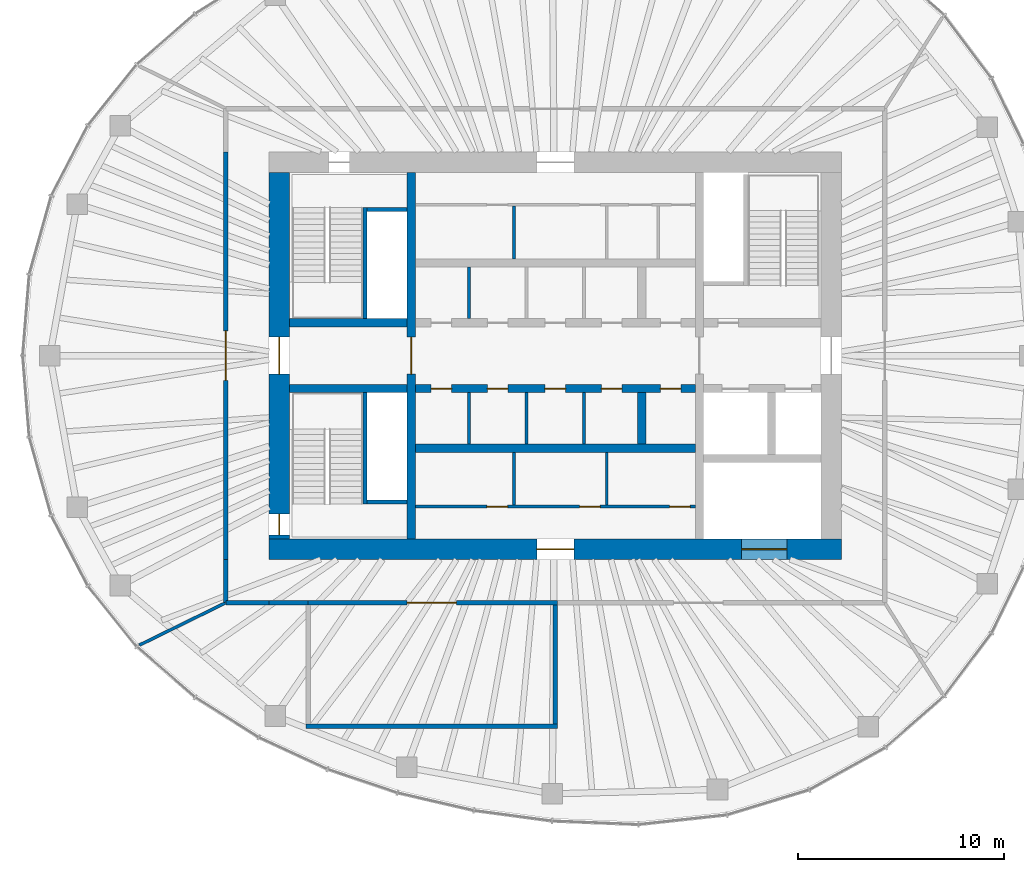
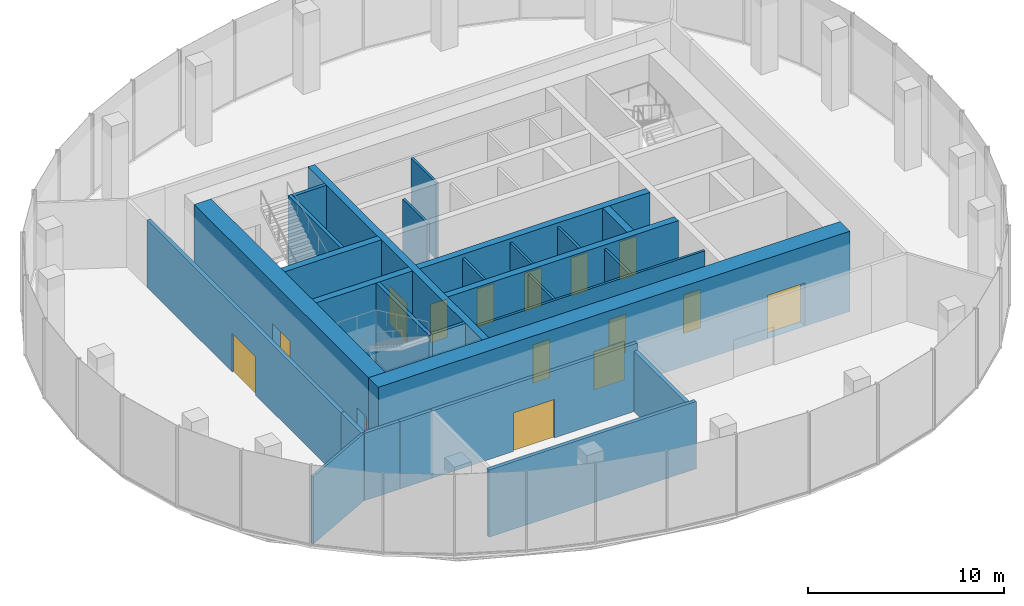
# One storey, part 8 of 11: 28 walls, 15 doors, 15 openings.
"""IFC4 building model written with IfcOpenShell, lengths in metres."""

import ifcopenshell
import ifcopenshell.guid

model = None  # the IFC model being written
_history = None  # IfcOwnerHistory: only IFC2X3 demands one
_inside = {}  # id of a spatial element -> (the spatial element, [elements in it])
_under = {}  # id of a project, library or spatial element -> (it, [spatial elements below it])
_declared = {}  # id of a project -> (the project, [libraries it declares])
_typed = {}  # id of a type object -> (the type object, [elements of that type])
_made_of = {}  # id of a material, layer set ... -> (it, [elements and type objects made of it])


def new_model(schema):
    """Start an empty IFC model of exactly this schema.

    Asked for "IFC4X3", IfcOpenShell would pick the latest addendum, in which some entities
    have other attributes; the version numbers below select the first issue.
    IFC2X3 requires an IfcOwnerHistory on every rooted entity: one is made here for all.
    """
    global model, _history
    if schema == "IFC4X3":
        model = ifcopenshell.file(schema_version=(4, 3, 0, 0))
    else:
        model = ifcopenshell.file(schema=schema)
    _inside.clear()
    _under.clear()
    _declared.clear()
    _typed.clear()
    _made_of.clear()
    _history = None
    if model.schema == "IFC2X3":
        org = make("IfcOrganization", Name="unknown")
        user = make(
            "IfcPersonAndOrganization",
            ThePerson=make("IfcPerson", FamilyName="unknown"),
            TheOrganization=org,
        )
        app = make(
            "IfcApplication",
            ApplicationDeveloper=org,
            Version="unknown",
            ApplicationFullName="unknown",
            ApplicationIdentifier="unknown",
        )
        _history = make(
            "IfcOwnerHistory",
            OwningUser=user,
            OwningApplication=app,
            ChangeAction="ADDED",
            CreationDate=0,
        )
    return model


def make(cls, **values):
    """One entity of the class cls with the attributes given. An attribute that is None is left unset."""
    return model.create_entity(
        cls, **{name: value for name, value in values.items() if value is not None}
    )


def rooted(cls, **values):
    """An entity with a GlobalId (a new one), such as an element, a storey or a relation."""
    return make(cls, GlobalId=ifcopenshell.guid.new(), OwnerHistory=_history, **values)


def si_unit(unit_type, name, prefix=None):
    """IfcSIUnit, for example si_unit("LENGTHUNIT", "METRE", prefix="MILLI")."""
    return make("IfcSIUnit", UnitType=unit_type, Prefix=prefix, Name=name)


def assignment(units):
    """IfcUnitAssignment: the units of a project."""
    return None if units is None else make("IfcUnitAssignment", Units=units)


def point(xyz):
    """IfcCartesianPoint."""
    return None if xyz is None else make("IfcCartesianPoint", Coordinates=xyz)


def direction(xyz):
    """IfcDirection."""
    return None if xyz is None else make("IfcDirection", DirectionRatios=xyz)


def frame(location, z_axis=None, x_axis=None):
    """IfcAxis2Placement3D, a coordinate frame: its origin and axes. An axis left out is left unset."""
    return make(
        "IfcAxis2Placement3D",
        Location=point(location),
        Axis=direction(z_axis),
        RefDirection=direction(x_axis),
    )


def frame_2d(location, x_axis=None):
    """IfcAxis2Placement2D, a coordinate frame in the plane: its origin and x axis."""
    return make(
        "IfcAxis2Placement2D", Location=point(location), RefDirection=direction(x_axis)
    )


def origin():
    """The frame at (0, 0, 0) with its axes left unset."""
    return frame((0.0, 0.0, 0.0))


def place(relative_to, where):
    """IfcLocalPlacement: puts the frame where relative to a parent placement (None: the world)."""
    return make(
        "IfcLocalPlacement", PlacementRelTo=relative_to, RelativePlacement=where
    )


def context(
    kind, dimensions, precision=None, world=None, true_north=None, identifier=None
):
    """IfcGeometricRepresentationContext, for example the 3D "Model" context."""
    return make(
        "IfcGeometricRepresentationContext",
        ContextIdentifier=identifier,
        ContextType=kind,
        CoordinateSpaceDimension=dimensions,
        Precision=precision,
        WorldCoordinateSystem=world,
        TrueNorth=true_north,
    )


def subcontext(parent, identifier, kind, view, scale=None):
    """IfcGeometricRepresentationSubContext, for example "Body" below "Model"."""
    return make(
        "IfcGeometricRepresentationSubContext",
        ContextIdentifier=identifier,
        ContextType=kind,
        ParentContext=parent,
        TargetScale=scale,
        TargetView=view,
    )


def project(units=None, contexts=None):
    """IfcProject with its units and contexts."""
    return rooted(
        "IfcProject",
        Name="project",
        RepresentationContexts=contexts,
        UnitsInContext=assignment(units),
    )


def spatial(cls, under=None, at=None, **own):
    """A site, building, storey or space (cls), placed at a placement, below another one or the project."""
    s = rooted(cls, ObjectPlacement=at, **own)
    if under is not None:
        _under.setdefault(under.id(), (under, []))[1].append(s)
    return s


def profile(cls, at=None, kind="AREA", **sizes):
    """A parametric profile (cls). Its sizes go by their IFC names, for example OverallWidth=200.0."""
    return make(cls, ProfileType=kind, Position=at, **sizes)


def rectangle(**sizes):
    """IfcRectangleProfileDef."""
    return profile("IfcRectangleProfileDef", **sizes)


def extrude(swept, where, along, depth):
    """IfcExtrudedAreaSolid: the profile swept, set in the frame where, extruded along a direction by depth."""
    return make(
        "IfcExtrudedAreaSolid",
        SweptArea=swept,
        Position=where,
        ExtrudedDirection=direction(along),
        Depth=depth,
    )


def shape(context_of_items, identifier, shape_type, items):
    """IfcShapeRepresentation: the items that make up one representation, for example the "Body"."""
    return make(
        "IfcShapeRepresentation",
        ContextOfItems=context_of_items,
        RepresentationIdentifier=identifier,
        RepresentationType=shape_type,
        Items=items,
    )


def material(Name=None, Category=None):
    """IfcMaterial."""
    return make("IfcMaterial", Name=Name, Category=Category)


def layer(
    of_material, thickness, ventilated=None, Name=None, Category=None, Priority=None
):
    """IfcMaterialLayer: one layer of a wall or slab, of a material (None: an air gap)."""
    return make(
        "IfcMaterialLayer",
        Material=of_material,
        LayerThickness=thickness,
        IsVentilated=ventilated,
        Name=Name,
        Category=Category,
        Priority=Priority,
    )


def layer_set(layers, Name=None):
    """IfcMaterialLayerSet."""
    return make("IfcMaterialLayerSet", MaterialLayers=layers, LayerSetName=Name)


def made_of(thing, what):
    """Note that an element or type object is made of a material, layer set ...; save() writes the relation."""
    if what is not None:
        _made_of.setdefault(what.id(), (what, []))[1].append(thing)
    return thing


def type_object(cls, material=None, **own):
    """A type object (cls), such as IfcWallType, which elements share."""
    return made_of(rooted(cls, **own), material)


def element(
    cls,
    number,
    at=None,
    inside=None,
    cuts=None,
    type_object=None,
    material=None,
    context=None,
    identifier="Body",
    shape_type=None,
    held_by="IfcProductDefinitionShape",
    body=None,
    shapes=None,
    **own,
):
    """One element of the class cls, such as IfcWall. Its Tag is "e" and its number.

    at: its placement. inside: the storey or other place that contains it. cuts: it is an
    opening in that element (IfcRelVoidsElement). A single representation is given by context,
    identifier, shape_type and body (its items); several are given by shapes. held_by: the class
    of the entity that holds the representations. save() writes the other relations.
    """
    e = rooted(cls, Tag="e%d" % number, ObjectPlacement=at, **own)
    if body is not None:
        shapes = [shape(context, identifier, shape_type, body)]
    if shapes is not None:
        e.Representation = make(held_by, Representations=shapes)
    if inside is not None:
        _inside.setdefault(inside.id(), (inside, []))[1].append(e)
    if cuts is not None:
        rooted(
            "IfcRelVoidsElement", RelatingBuildingElement=cuts, RelatedOpeningElement=e
        )
    if type_object is not None:
        _typed.setdefault(type_object.id(), (type_object, []))[1].append(e)
    return made_of(e, material)


def fill(opening, filler):
    """IfcRelFillsElement: the door or window that sits in an opening."""
    return rooted(
        "IfcRelFillsElement",
        RelatingOpeningElement=opening,
        RelatedBuildingElement=filler,
    )


def aggregate(whole, parts):
    """IfcRelAggregates: a whole, such as a stair, and the parts it consists of."""
    return rooted("IfcRelAggregates", RelatingObject=whole, RelatedObjects=parts)


def save(model, path):
    """Write the relations noted so far, then the file.

    IfcRelAggregates (storeys below a building ...), IfcRelContainedInSpatialStructure (elements
    in a storey), IfcRelDefinesByType, IfcRelAssociatesMaterial and IfcRelDeclares: one each for
    every whole, place, type object, material and project.
    """
    for whole, parts in _under.values():
        aggregate(whole, parts)
    for where, things in _inside.values():
        rooted(
            "IfcRelContainedInSpatialStructure",
            RelatedElements=things,
            RelatingStructure=where,
        )
    for kind, things in _typed.values():
        rooted("IfcRelDefinesByType", RelatedObjects=things, RelatingType=kind)
    for what, things in _made_of.values():
        rooted("IfcRelAssociatesMaterial", RelatedObjects=things, RelatingMaterial=what)
    for by, libraries in _declared.values():
        rooted("IfcRelDeclares", RelatingContext=by, RelatedDefinitions=libraries)
    model.write(path)


model = new_model("IFC4")

# Units and contexts
model_context = context("Model", 3, precision=1e-05, world=origin(), true_north=direction((0.0, 1.0)))
body_context = subcontext(model_context, "Body", "Model", "MODEL_VIEW")
ifc_project = project(units=[si_unit("LENGTHUNIT", "METRE"), si_unit("AREAUNIT", "SQUARE_METRE"), si_unit("VOLUMEUNIT", "CUBIC_METRE"), si_unit("PLANEANGLEUNIT", "RADIAN"), si_unit("MASSUNIT", "GRAM", prefix="KILO")], contexts=[model_context])

# Site, building, storey
site_placement = place(None, origin())
site = spatial("IfcSite", under=ifc_project, at=site_placement, CompositionType="ELEMENT")
building_placement = place(site_placement, origin())
building = spatial("IfcBuilding", under=site, at=building_placement, Name="Ghaith Harvest Tower", CompositionType="ELEMENT")
storey_placement = place(building_placement, frame((0.0, 0.0, 339.199951171875)))
storey = spatial("IfcBuildingStorey", under=building, at=storey_placement, Name="L76", CompositionType="ELEMENT", Elevation=339.199951171875)

# Walls
ifc_material_1 = material(Name="Concrete blockwork, 1-hour", Category="masonry")
ifc_layer_1 = layer(ifc_material_1, 0.215087890625)
ifc_layer_set_1 = layer_set([ifc_layer_1], Name="BLOCKWORK WALL 215")
wall_type_1 = type_object("IfcWallType", Name="BLOCKWORK WALL 215", PredefinedType="PARTITIONING", material=ifc_layer_set_1)
wall_1_placement = place(storey_placement, frame((-16.0, -12.0, 0.0), z_axis=(0.0, 0.0, 1.0), x_axis=(1.0, 0.0, 0.0)))
element("IfcWall", 1, at=wall_1_placement, inside=storey, type_object=wall_type_1, Name="Plant room wall L76", PredefinedType="PARTITIONING", context=body_context, shape_type="SweptSolid", body=[
    extrude(rectangle(XDim=2.10009765625, YDim=0.215087890625, at=frame_2d((1.050048828125, 0.0))), origin(), (0.0, 0.0, 1.0), 4.199951171875),
])
wall_2_placement = place(storey_placement, frame((-13.89990234375, -12.0, 0.0), z_axis=(0.0, 0.0, 1.0), x_axis=(1.0, 0.0, 0.0)))
element("IfcWall", 2, at=wall_2_placement, inside=storey, type_object=wall_type_1, Name="Plant room wall L76", PredefinedType="PARTITIONING", context=body_context, shape_type="SweptSolid", body=[
    extrude(rectangle(XDim=1.89990234375, YDim=0.215087890625, at=frame_2d((0.949951171875, 0.0))), origin(), (0.0, 0.0, 1.0), 4.199951171875),
])

# Wall, opening, door
wall_3_placement = place(storey_placement, frame((-16.0, 9.89990234375, 0.0), z_axis=(0.0, 0.0, 1.0), x_axis=(0.0, -1.0, 0.0)))
wall_3 = element("IfcWall", 3, at=wall_3_placement, inside=storey, type_object=wall_type_1, Name="Plant room wall L76", PredefinedType="PARTITIONING", context=body_context, shape_type="SweptSolid", body=[
    extrude(rectangle(XDim=19.7998046875, YDim=0.215087890625, at=frame_2d((9.89990234375, 0.0))), origin(), (0.0, 0.0, 1.0), 4.199951171875),
])
opening_1_placement = place(wall_3_placement, frame((8.699951171875, 0.0, 0.0)))
opening_1 = element("IfcOpeningElement", 4, at=opening_1_placement, cuts=wall_3, Name="Opening 76-034", PredefinedType="OPENING", context=body_context, shape_type="SweptSolid", body=[
    extrude(rectangle(XDim=2.39990234375, YDim=2.39990234375, at=frame_2d((1.199951171875, 1.199951171875))), frame((0.0, 0.11767578125, 0.0), z_axis=(0.0, -1.0, 0.0), x_axis=(1.0, 0.0, 0.0)), (0.0, 0.0, 1.0), 0.235107421875),
])
ifc_material_2 = material(Name="Timber door", Category="wood")
door_type_1 = type_object("IfcDoorType", Name="D10 PLANT PAIR 2400x2400", OperationType="DOUBLE_DOOR_SINGLE_SWING", PredefinedType="DOOR", material=ifc_material_2)
door_1_placement = place(opening_1_placement, origin())
door_1 = element("IfcDoor", 5, at=door_1_placement, inside=storey, type_object=door_type_1, Name="Cooling plant room west door", OperationType="DOUBLE_DOOR_SINGLE_SWING", OverallHeight=2.39990234375, OverallWidth=2.39990234375, PredefinedType="DOOR", context=body_context, shape_type="SweptSolid", body=[
    extrude(rectangle(XDim=2.39990234375, YDim=2.39990234375, at=frame_2d((1.199951171875, 1.199951171875))), frame((0.0, 0.02490234375, 0.0), z_axis=(0.0, -1.0, 0.0), x_axis=(1.0, 0.0, 0.0)), (0.0, 0.0, 1.0), 0.050048828125),
])
fill(opening_1, door_1)

# Walls
wall_4_placement = place(storey_placement, frame((-16.0, -9.89990234375, 0.0), z_axis=(0.0, 0.0, 1.0), x_axis=(0.0, -1.0, 0.0)))
element("IfcWall", 6, at=wall_4_placement, inside=storey, type_object=wall_type_1, Name="Plant room wall L76", PredefinedType="PARTITIONING", context=body_context, shape_type="SweptSolid", body=[
    extrude(rectangle(XDim=2.10009765625, YDim=0.215087890625, at=frame_2d((1.050048828125, 0.0))), origin(), (0.0, 0.0, 1.0), 4.199951171875),
])
wall_5_placement = place(storey_placement, frame((-12.107421875, -18.0, 0.0), z_axis=(0.0, 0.0, 1.0), x_axis=(1.0, 0.0, 0.0)))
element("IfcWall", 7, at=wall_5_placement, inside=storey, type_object=wall_type_1, Name="Partition L76-01", PredefinedType="PARTITIONING", context=body_context, shape_type="SweptSolid", body=[
    extrude(rectangle(XDim=12.21484375, YDim=0.215087890625, at=frame_2d((6.107421875, 0.0))), origin(), (0.0, 0.0, 1.0), 4.199951171875),
])

# Wall, opening, door
wall_6_placement = place(storey_placement, frame((-12.107421875, -12.0, 0.0), z_axis=(0.0, 0.0, 1.0), x_axis=(1.0, 0.0, 0.0)))
wall_6 = element("IfcWall", 8, at=wall_6_placement, inside=storey, type_object=wall_type_1, Name="Partition L76-01", PredefinedType="PARTITIONING", context=body_context, shape_type="SweptSolid", body=[
    extrude(rectangle(XDim=12.21484375, YDim=0.215087890625, at=frame_2d((6.107421875, 0.0))), origin(), (0.0, 0.0, 1.0), 4.199951171875),
])
opening_2_placement = place(wall_6_placement, frame((4.907470703125, 0.0, 0.0)))
opening_2 = element("IfcOpeningElement", 9, at=opening_2_placement, cuts=wall_6, Name="Opening 76-030", PredefinedType="OPENING", context=body_context, shape_type="SweptSolid", body=[
    extrude(rectangle(XDim=2.39990234375, YDim=2.39990234375, at=frame_2d((1.199951171875, 1.199951171875))), frame((0.0, 0.11767578125, 0.0), z_axis=(0.0, -1.0, 0.0), x_axis=(1.0, 0.0, 0.0)), (0.0, 0.0, 1.0), 0.235107421875),
])
door_2_placement = place(opening_2_placement, origin())
door_2 = element("IfcDoor", 10, at=door_2_placement, inside=storey, type_object=door_type_1, Name="Water tank room door", OperationType="DOUBLE_DOOR_SINGLE_SWING", OverallHeight=2.39990234375, OverallWidth=2.39990234375, PredefinedType="DOOR", context=body_context, shape_type="SweptSolid", body=[
    extrude(rectangle(XDim=2.39990234375, YDim=2.39990234375, at=frame_2d((1.199951171875, 1.199951171875))), frame((0.0, 0.02490234375, 0.0), z_axis=(0.0, -1.0, 0.0), x_axis=(1.0, 0.0, 0.0)), (0.0, 0.0, 1.0), 0.050048828125),
])
fill(opening_2, door_2)

# Walls
ifc_material_3 = material(Name="Concrete blockwork, 1-hour", Category="masonry")
ifc_layer_2 = layer(ifc_material_3, 0.215087890625)
ifc_layer_set_2 = layer_set([ifc_layer_2], Name="BLOCKWORK WALL 215H")
wall_type_2 = type_object("IfcWallType", Name="BLOCKWORK WALL 215H", PredefinedType="PARTITIONING", material=ifc_layer_set_2)
wall_7_placement = place(storey_placement, frame((0.0, -17.892578125, 0.0), z_axis=(0.0, 0.0, 1.0), x_axis=(0.0, 1.0, 0.0)))
element("IfcWall", 11, at=wall_7_placement, inside=storey, type_object=wall_type_2, Name="Partition L76-01", PredefinedType="PARTITIONING", context=body_context, shape_type="SweptSolid", body=[
    extrude(rectangle(XDim=5.78515625, YDim=0.215087890625, at=frame_2d((2.892578125, 0.0))), origin(), (0.0, 0.0, 1.0), 3.77294921875),
])
ifc_material_4 = material(Name="Concrete blockwork, fair-faced", Category="masonry")
ifc_layer_3 = layer(ifc_material_4, 0.139892578125)
ifc_layer_set_3 = layer_set([ifc_layer_3], Name="CORE PARTITION 140")
wall_type_3 = type_object("IfcWallType", Name="CORE PARTITION 140", PredefinedType="PARTITIONING", material=ifc_layer_set_3)
wall_8_placement = place(storey_placement, frame((-2.0, 4.699951171875, 0.0), z_axis=(0.0, 0.0, 1.0), x_axis=(0.0, 1.0, 0.0)))
element("IfcWall", 12, at=wall_8_placement, inside=storey, type_object=wall_type_3, Name="Core partition L76", PredefinedType="PARTITIONING", context=body_context, shape_type="SweptSolid", body=[
    extrude(rectangle(XDim=2.56005859375, YDim=0.139892578125, at=frame_2d((1.280029296875, 0.0))), origin(), (0.0, 0.0, 1.0), 4.75),
])

# Wall, openings, doors
wall_9_placement = place(storey_placement, frame((-6.800048828125, -7.330078125, 0.0), z_axis=(0.0, 0.0, 1.0), x_axis=(1.0, 0.0, 0.0)))
wall_9 = element("IfcWall", 13, at=wall_9_placement, inside=storey, type_object=wall_type_3, Name="Core partition L76", PredefinedType="PARTITIONING", context=body_context, shape_type="SweptSolid", body=[
    extrude(rectangle(XDim=13.60009765625, YDim=0.139892578125, at=frame_2d((6.800048828125, 0.0))), origin(), (0.0, 0.0, 1.0), 4.75),
])
opening_3_placement = place(wall_9_placement, frame((3.47998046875, 0.0, 0.0)))
opening_3 = element("IfcOpeningElement", 14, at=opening_3_placement, cuts=wall_9, Name="Opening 76-012", PredefinedType="OPENING", context=body_context, shape_type="SweptSolid", body=[
    extrude(rectangle(XDim=1.0, YDim=2.39990234375, at=frame_2d((0.5, 1.199951171875))), frame((0.0, 0.080078125, 0.0), z_axis=(0.0, -1.0, 0.0), x_axis=(1.0, 0.0, 0.0)), (0.0, 0.0, 1.0), 0.159912109375),
])
opening_4_placement = place(wall_9_placement, frame((7.97998046875, 0.0, 0.0)))
opening_4 = element("IfcOpeningElement", 15, at=opening_4_placement, cuts=wall_9, Name="Opening 76-013", PredefinedType="OPENING", context=body_context, shape_type="SweptSolid", body=[
    extrude(rectangle(XDim=1.0, YDim=2.39990234375, at=frame_2d((0.5, 1.199951171875))), frame((0.0, 0.080078125, 0.0), z_axis=(0.0, -1.0, 0.0), x_axis=(1.0, 0.0, 0.0)), (0.0, 0.0, 1.0), 0.159912109375),
])
opening_5_placement = place(wall_9_placement, frame((12.35009765625, 0.0, 0.0)))
opening_5 = element("IfcOpeningElement", 16, at=opening_5_placement, cuts=wall_9, Name="Opening 76-014", PredefinedType="OPENING", context=body_context, shape_type="SweptSolid", body=[
    extrude(rectangle(XDim=1.0, YDim=2.39990234375, at=frame_2d((0.5, 1.199951171875))), frame((0.0, 0.080078125, 0.0), z_axis=(0.0, -1.0, 0.0), x_axis=(1.0, 0.0, 0.0)), (0.0, 0.0, 1.0), 0.159912109375),
])
ifc_material_5 = material(Name="Steel fire door", Category="steel")
door_type_2 = type_object("IfcDoorType", Name="D3 FD90 1000x2400", OperationType="SINGLE_SWING_LEFT", PredefinedType="DOOR", material=ifc_material_5)
door_3_placement = place(opening_3_placement, origin())
door_3 = element("IfcDoor", 17, at=door_3_placement, inside=storey, type_object=door_type_2, Name="Electrical room door", OperationType="SINGLE_SWING_LEFT", OverallHeight=2.39990234375, OverallWidth=1.0, PredefinedType="DOOR", context=body_context, shape_type="SweptSolid", body=[
    extrude(rectangle(XDim=1.0, YDim=2.39990234375, at=frame_2d((0.5, 1.199951171875))), frame((0.0, 0.02490234375, 0.0), z_axis=(0.0, -1.0, 0.0), x_axis=(1.0, 0.0, 0.0)), (0.0, 0.0, 1.0), 0.050048828125),
])
fill(opening_3, door_3)
door_4_placement = place(opening_4_placement, origin())
door_4 = element("IfcDoor", 18, at=door_4_placement, inside=storey, type_object=door_type_2, Name="Communications equipment room door", OperationType="SINGLE_SWING_RIGHT", OverallHeight=2.39990234375, OverallWidth=1.0, PredefinedType="DOOR", context=body_context, shape_type="SweptSolid", body=[
    extrude(rectangle(XDim=1.0, YDim=2.39990234375, at=frame_2d((0.5, 1.199951171875))), frame((0.0, 0.02490234375, 0.0), z_axis=(0.0, -1.0, 0.0), x_axis=(1.0, 0.0, 0.0)), (0.0, 0.0, 1.0), 0.050048828125),
])
fill(opening_4, door_4)
door_5_placement = place(opening_5_placement, origin())
door_5 = element("IfcDoor", 19, at=door_5_placement, inside=storey, type_object=door_type_2, Name="Riser room door", OperationType="SINGLE_SWING_RIGHT", OverallHeight=2.39990234375, OverallWidth=1.0, PredefinedType="DOOR", context=body_context, shape_type="SweptSolid", body=[
    extrude(rectangle(XDim=1.0, YDim=2.39990234375, at=frame_2d((0.5, 1.199951171875))), frame((0.0, 0.02490234375, 0.0), z_axis=(0.0, -1.0, 0.0), x_axis=(1.0, 0.0, 0.0)), (0.0, 0.0, 1.0), 0.050048828125),
])
fill(opening_5, door_5)

# Walls
for number, where, z_axis, x_axis, name in (
    (20, (-2.0, -4.699951171875, 0.0), (0.0, 0.0, 1.0), (0.0, -1.0, 0.0), "Core partition L76"),
    (21, (2.5, -4.699951171875, 0.0), (0.0, 0.0, 1.0), (0.0, -1.0, 0.0), "Core partition L76"),
):
    element("IfcWall", number, at=place(storey_placement, frame(where, z_axis=z_axis, x_axis=x_axis)), inside=storey, type_object=wall_type_3, Name=name, PredefinedType="PARTITIONING", context=body_context, shape_type="SweptSolid", body=[
        extrude(rectangle(XDim=2.56005859375, YDim=0.139892578125, at=frame_2d((1.280029296875, 0.0))), origin(), (0.0, 0.0, 1.0), 4.75),
    ])
for number, where, z_axis, x_axis, name in (
    (22, (-4.199951171875, 1.800048828125, 0.0), (0.0, 0.0, 1.0), (0.0, 1.0, 0.0), "Core partition L76"),
    (23, (-4.199951171875, -1.800048828125, 0.0), (0.0, 0.0, 1.0), (0.0, -1.0, 0.0), "Core partition L76"),
    (24, (-1.39990234375, -1.800048828125, 0.0), (0.0, 0.0, 1.0), (0.0, -1.0, 0.0), "Core partition L76"),
    (25, (1.39990234375, -1.800048828125, 0.0), (0.0, 0.0, 1.0), (0.0, -1.0, 0.0), "Core partition L76"),
):
    element("IfcWall", number, at=place(storey_placement, frame(where, z_axis=z_axis, x_axis=x_axis)), inside=storey, type_object=wall_type_3, Name=name, PredefinedType="PARTITIONING", context=body_context, shape_type="SweptSolid", body=[
        extrude(rectangle(XDim=2.5, YDim=0.139892578125, at=frame_2d((1.25, 0.0))), origin(), (0.0, 0.0, 1.0), 4.75),
    ])

# Wall, openings, doors
ifc_material_6 = material(Name="Concrete C50/60", Category="concrete")
ifc_layer_4 = layer(ifc_material_6, 1.0)
ifc_layer_set_4 = layer_set([ifc_layer_4], Name="CORE WALL CW1000")
wall_type_4 = type_object("IfcWallType", Name="CORE WALL CW1000", PredefinedType="SHEAR", material=ifc_layer_set_4)
wall_10_placement = place(storey_placement, frame((-13.89990234375, -9.39990234375, 0.0), z_axis=(0.0, 0.0, 1.0), x_axis=(1.0, 0.0, 0.0)))
wall_10 = element("IfcWall", 26, at=wall_10_placement, inside=storey, type_object=wall_type_4, Name="Core wall S L76", PredefinedType="SHEAR", context=body_context, shape_type="SweptSolid", body=[
    extrude(rectangle(XDim=27.7998046875, YDim=1.0, at=frame_2d((13.89990234375, 0.0))), origin(), (0.0, 0.0, 1.0), 5.0),
])
opening_6_placement = place(wall_10_placement, frame((13.0, 0.0, 0.0)))
opening_6 = element("IfcOpeningElement", 27, at=opening_6_placement, cuts=wall_10, Name="Opening 76-026", PredefinedType="OPENING", context=body_context, shape_type="SweptSolid", body=[
    extrude(rectangle(XDim=1.800048828125, YDim=2.39990234375, at=frame_2d((0.89990234375, 1.199951171875))), frame((0.0, 0.510009765625, 0.0), z_axis=(0.0, -1.0, 0.0), x_axis=(1.0, 0.0, 0.0)), (0.0, 0.0, 1.0), 1.02001953125),
])
opening_7_placement = place(wall_10_placement, frame((22.949951171875, 0.0, 0.0)))
opening_7 = element("IfcOpeningElement", 28, at=opening_7_placement, cuts=wall_10, Name="Opening 76-029", PredefinedType="OPENING", context=body_context, shape_type="SweptSolid", body=[
    extrude(rectangle(XDim=2.199951171875, YDim=2.699951171875, at=frame_2d((1.10009765625, 1.35009765625))), frame((0.0, 0.510009765625, 0.0), z_axis=(0.0, -1.0, 0.0), x_axis=(1.0, 0.0, 0.0)), (0.0, 0.0, 1.0), 1.02001953125),
])
ifc_material_7 = material(Name="Steel fire door", Category="steel")
door_type_3 = type_object("IfcDoorType", Name="D4 FD90 PAIR 1800x2400", OperationType="DOUBLE_DOOR_SINGLE_SWING", PredefinedType="DOOR", material=ifc_material_7)
door_6_placement = place(opening_6_placement, origin())
door_6 = element("IfcDoor", 29, at=door_6_placement, inside=storey, type_object=door_type_3, Name="Core service corridor doors", OperationType="DOUBLE_DOOR_SINGLE_SWING", OverallHeight=2.39990234375, OverallWidth=1.800048828125, PredefinedType="DOOR", context=body_context, shape_type="SweptSolid", body=[
    extrude(rectangle(XDim=1.800048828125, YDim=2.39990234375, at=frame_2d((0.89990234375, 1.199951171875))), frame((0.0, 0.02490234375, 0.0), z_axis=(0.0, -1.0, 0.0), x_axis=(1.0, 0.0, 0.0)), (0.0, 0.0, 1.0), 0.050048828125),
])
fill(opening_6, door_6)
ifc_material_8 = material(Name="Steel fire door", Category="steel")
door_type_4 = type_object("IfcDoorType", Name="LD3 LANDING 2200x2700", OperationType="DOUBLE_DOOR_SLIDING", PredefinedType="DOOR", material=ifc_material_8)
door_7_placement = place(opening_7_placement, origin())
door_7 = element("IfcDoor", 30, at=door_7_placement, inside=storey, type_object=door_type_4, Name="Landing door, goods lift GL1", OperationType="DOUBLE_DOOR_SLIDING", OverallHeight=2.699951171875, OverallWidth=2.199951171875, PredefinedType="DOOR", context=body_context, shape_type="SweptSolid", body=[
    extrude(rectangle(XDim=2.199951171875, YDim=2.699951171875, at=frame_2d((1.10009765625, 1.35009765625))), frame((0.0, 0.02490234375, 0.0), z_axis=(0.0, -1.0, 0.0), x_axis=(1.0, 0.0, 0.0)), (0.0, 0.0, 1.0), 0.050048828125),
])
fill(opening_7, door_7)

wall_11_placement = place(storey_placement, frame((-13.39990234375, 8.89990234375, 0.0), z_axis=(0.0, 0.0, 1.0), x_axis=(0.0, -1.0, 0.0)))
wall_11 = element("IfcWall", 31, at=wall_11_placement, inside=storey, type_object=wall_type_4, Name="Core wall W L76", PredefinedType="SHEAR", context=body_context, shape_type="SweptSolid", body=[
    extrude(rectangle(XDim=17.7998046875, YDim=1.0, at=frame_2d((8.89990234375, 0.0))), origin(), (0.0, 0.0, 1.0), 5.0),
])
opening_8_placement = place(wall_11_placement, frame((8.0, 0.0, 0.0)))
opening_8 = element("IfcOpeningElement", 32, at=opening_8_placement, cuts=wall_11, Name="Opening 76-001", PredefinedType="OPENING", context=body_context, shape_type="SweptSolid", body=[
    extrude(rectangle(XDim=1.800048828125, YDim=2.39990234375, at=frame_2d((0.89990234375, 1.199951171875))), frame((0.0, 0.510009765625, 0.0), z_axis=(0.0, -1.0, 0.0), x_axis=(1.0, 0.0, 0.0)), (0.0, 0.0, 1.0), 1.02001953125),
])
opening_9_placement = place(wall_11_placement, frame((16.60009765625, 0.0, 0.0)))
opening_9 = element("IfcOpeningElement", 33, at=opening_9_placement, cuts=wall_11, Name="Opening 76-006", PredefinedType="OPENING", context=body_context, shape_type="SweptSolid", body=[
    extrude(rectangle(XDim=1.0, YDim=2.39990234375, at=frame_2d((0.5, 1.199951171875))), frame((0.0, 0.510009765625, 0.0), z_axis=(0.0, -1.0, 0.0), x_axis=(1.0, 0.0, 0.0)), (0.0, 0.0, 1.0), 1.02001953125),
])
door_8_placement = place(opening_9_placement, origin())
door_8 = element("IfcDoor", 34, at=door_8_placement, inside=storey, type_object=door_type_2, Name="Stair ST3 door", OperationType="SINGLE_SWING_RIGHT", OverallHeight=2.39990234375, OverallWidth=1.0, PredefinedType="DOOR", context=body_context, shape_type="SweptSolid", body=[
    extrude(rectangle(XDim=1.0, YDim=2.39990234375, at=frame_2d((0.5, 1.199951171875))), frame((0.0, 0.02490234375, 0.0), z_axis=(0.0, -1.0, 0.0), x_axis=(1.0, 0.0, 0.0)), (0.0, 0.0, 1.0), 0.050048828125),
])
fill(opening_9, door_8)
door_9_placement = place(opening_8_placement, origin())
door_9 = element("IfcDoor", 35, at=door_9_placement, inside=storey, type_object=door_type_3, Name="West lobby doors", OperationType="DOUBLE_DOOR_SINGLE_SWING", OverallHeight=2.39990234375, OverallWidth=1.800048828125, PredefinedType="DOOR", context=body_context, shape_type="SweptSolid", body=[
    extrude(rectangle(XDim=1.800048828125, YDim=2.39990234375, at=frame_2d((0.89990234375, 1.199951171875))), frame((0.0, 0.02490234375, 0.0), z_axis=(0.0, -1.0, 0.0), x_axis=(1.0, 0.0, 0.0)), (0.0, 0.0, 1.0), 0.050048828125),
])
fill(opening_8, door_9)

# Wall
ifc_material_9 = material(Name="Gypsum board on steel studs", Category="steel")
ifc_layer_5 = layer(ifc_material_9, 0.14990234375)
ifc_layer_set_5 = layer_set([ifc_layer_5], Name="PARTITION 150")
wall_type_5 = type_object("IfcWallType", Name="PARTITION 150", PredefinedType="PARTITIONING", material=ifc_layer_set_5)
wall_12_placement = place(storey_placement, frame((-16.017822265625, -12.0087890625, 0.0), z_axis=(0.0, 0.0, 1.0), x_axis=(-0.897771840996, -0.440460805879, 0.0)))
element("IfcWall", 36, at=wall_12_placement, inside=storey, type_object=wall_type_5, Name="Partition L76 zone division", PredefinedType="PARTITIONING", context=body_context, shape_type="SweptSolid", body=[
    extrude(rectangle(XDim=4.66552734375, YDim=0.14990234375, at=frame_2d((2.332763671875, 0.0))), origin(), (0.0, 0.0, 1.0), 4.199951171875),
])

# Wall, opening, door
ifc_material_10 = material(Name="Concrete C70/85", Category="concrete")
ifc_layer_6 = layer(ifc_material_10, 0.39990234375)
ifc_layer_set_6 = layer_set([ifc_layer_6], Name="SHAFT WALL 400")
wall_type_6 = type_object("IfcWallType", Name="SHAFT WALL 400", PredefinedType="SHEAR", material=ifc_layer_set_6)
wall_13_placement = place(storey_placement, frame((-7.0, -8.89990234375, 0.0), z_axis=(0.0, 0.0, 1.0), x_axis=(0.0, 1.0, 0.0)))
wall_13 = element("IfcWall", 37, at=wall_13_placement, inside=storey, type_object=wall_type_6, Name="Shaft wall W7W L76", PredefinedType="SHEAR", context=body_context, shape_type="SweptSolid", body=[
    extrude(rectangle(XDim=17.7998046875, YDim=0.39990234375, at=frame_2d((8.89990234375, 0.0))), origin(), (0.0, 0.0, 1.0), 5.0),
])
opening_10_placement = place(wall_13_placement, frame((8.0, 0.0, 0.0)))
opening_10 = element("IfcOpeningElement", 38, at=opening_10_placement, cuts=wall_13, Name="Opening 76-003", PredefinedType="OPENING", context=body_context, shape_type="SweptSolid", body=[
    extrude(rectangle(XDim=1.800048828125, YDim=2.39990234375, at=frame_2d((0.89990234375, 1.199951171875))), frame((0.0, 0.2099609375, 0.0), z_axis=(0.0, -1.0, 0.0), x_axis=(1.0, 0.0, 0.0)), (0.0, 0.0, 1.0), 0.419921875),
])
door_10_placement = place(opening_10_placement, origin())
door_10 = element("IfcDoor", 39, at=door_10_placement, inside=storey, type_object=door_type_3, Name="Lift lobby doors, west", OperationType="DOUBLE_DOOR_SINGLE_SWING", OverallHeight=2.39990234375, OverallWidth=1.800048828125, PredefinedType="DOOR", context=body_context, shape_type="SweptSolid", body=[
    extrude(rectangle(XDim=1.800048828125, YDim=2.39990234375, at=frame_2d((0.89990234375, 1.199951171875))), frame((0.0, 0.02490234375, 0.0), z_axis=(0.0, -1.0, 0.0), x_axis=(1.0, 0.0, 0.0)), (0.0, 0.0, 1.0), 0.050048828125),
])
fill(opening_10, door_10)

# Wall, openings, doors
wall_14_placement = place(storey_placement, frame((-6.800048828125, -1.60009765625, 0.0), z_axis=(0.0, 0.0, 1.0), x_axis=(1.0, 0.0, 0.0)))
wall_14 = element("IfcWall", 40, at=wall_14_placement, inside=storey, type_object=wall_type_6, Name="Shaft wall LS L76", PredefinedType="SHEAR", context=body_context, shape_type="SweptSolid", body=[
    extrude(rectangle(XDim=13.60009765625, YDim=0.39990234375, at=frame_2d((6.800048828125, 0.0))), origin(), (0.0, 0.0, 1.0), 5.0),
])
opening_11_placement = place(wall_14_placement, frame((0.764892578125, 0.0, 0.0)))
opening_11 = element("IfcOpeningElement", 41, at=opening_11_placement, cuts=wall_14, Name="Opening 76-019", PredefinedType="OPENING", context=body_context, shape_type="SweptSolid", body=[
    extrude(rectangle(XDim=1.0, YDim=2.39990234375, at=frame_2d((0.5, 1.199951171875))), frame((0.0, 0.2099609375, 0.0), z_axis=(0.0, -1.0, 0.0), x_axis=(1.0, 0.0, 0.0)), (0.0, 0.0, 1.0), 0.419921875),
])
opening_12_placement = place(wall_14_placement, frame((3.5, 0.0, 0.0)))
opening_12 = element("IfcOpeningElement", 42, at=opening_12_placement, cuts=wall_14, Name="Opening 76-020", PredefinedType="OPENING", context=body_context, shape_type="SweptSolid", body=[
    extrude(rectangle(XDim=1.0, YDim=2.39990234375, at=frame_2d((0.5, 1.199951171875))), frame((0.0, 0.2099609375, 0.0), z_axis=(0.0, -1.0, 0.0), x_axis=(1.0, 0.0, 0.0)), (0.0, 0.0, 1.0), 0.419921875),
])
opening_13_placement = place(wall_14_placement, frame((6.300048828125, 0.0, 0.0)))
opening_13 = element("IfcOpeningElement", 43, at=opening_13_placement, cuts=wall_14, Name="Opening 76-021", PredefinedType="OPENING", context=body_context, shape_type="SweptSolid", body=[
    extrude(rectangle(XDim=1.0, YDim=2.39990234375, at=frame_2d((0.5, 1.199951171875))), frame((0.0, 0.2099609375, 0.0), z_axis=(0.0, -1.0, 0.0), x_axis=(1.0, 0.0, 0.0)), (0.0, 0.0, 1.0), 0.419921875),
])
opening_14_placement = place(wall_14_placement, frame((9.034912109375, 0.0, 0.0)))
opening_14 = element("IfcOpeningElement", 44, at=opening_14_placement, cuts=wall_14, Name="Opening 76-022", PredefinedType="OPENING", context=body_context, shape_type="SweptSolid", body=[
    extrude(rectangle(XDim=1.0, YDim=2.39990234375, at=frame_2d((0.5, 1.199951171875))), frame((0.0, 0.2099609375, 0.0), z_axis=(0.0, -1.0, 0.0), x_axis=(1.0, 0.0, 0.0)), (0.0, 0.0, 1.0), 0.419921875),
])
opening_15_placement = place(wall_14_placement, frame((11.89990234375, 0.0, 0.0)))
opening_15 = element("IfcOpeningElement", 45, at=opening_15_placement, cuts=wall_14, Name="Opening 76-024", PredefinedType="OPENING", context=body_context, shape_type="SweptSolid", body=[
    extrude(rectangle(XDim=1.0, YDim=2.39990234375, at=frame_2d((0.5, 1.199951171875))), frame((0.0, 0.2099609375, 0.0), z_axis=(0.0, -1.0, 0.0), x_axis=(1.0, 0.0, 0.0)), (0.0, 0.0, 1.0), 0.419921875),
])
door_11_placement = place(opening_11_placement, origin())
door_11 = element("IfcDoor", 46, at=door_11_placement, inside=storey, type_object=door_type_2, Name="Electrical switch room door", OperationType="SINGLE_SWING_LEFT", OverallHeight=2.39990234375, OverallWidth=1.0, PredefinedType="DOOR", context=body_context, shape_type="SweptSolid", body=[
    extrude(rectangle(XDim=1.0, YDim=2.39990234375, at=frame_2d((0.5, 1.199951171875))), frame((0.0, 0.02490234375, 0.0), z_axis=(0.0, -1.0, 0.0), x_axis=(1.0, 0.0, 0.0)), (0.0, 0.0, 1.0), 0.050048828125),
])
fill(opening_11, door_11)
door_12_placement = place(opening_12_placement, origin())
door_12 = element("IfcDoor", 47, at=door_12_placement, inside=storey, type_object=door_type_2, Name="Mechanical plant room door", OperationType="SINGLE_SWING_LEFT", OverallHeight=2.39990234375, OverallWidth=1.0, PredefinedType="DOOR", context=body_context, shape_type="SweptSolid", body=[
    extrude(rectangle(XDim=1.0, YDim=2.39990234375, at=frame_2d((0.5, 1.199951171875))), frame((0.0, 0.02490234375, 0.0), z_axis=(0.0, -1.0, 0.0), x_axis=(1.0, 0.0, 0.0)), (0.0, 0.0, 1.0), 0.050048828125),
])
fill(opening_12, door_12)
door_13_placement = place(opening_13_placement, origin())
door_13 = element("IfcDoor", 48, at=door_13_placement, inside=storey, type_object=door_type_2, Name="Mechanical plant room door", OperationType="SINGLE_SWING_LEFT", OverallHeight=2.39990234375, OverallWidth=1.0, PredefinedType="DOOR", context=body_context, shape_type="SweptSolid", body=[
    extrude(rectangle(XDim=1.0, YDim=2.39990234375, at=frame_2d((0.5, 1.199951171875))), frame((0.0, 0.02490234375, 0.0), z_axis=(0.0, -1.0, 0.0), x_axis=(1.0, 0.0, 0.0)), (0.0, 0.0, 1.0), 0.050048828125),
])
fill(opening_13, door_13)
door_14_placement = place(opening_14_placement, origin())
door_14 = element("IfcDoor", 49, at=door_14_placement, inside=storey, type_object=door_type_2, Name="Electrical switch room door", OperationType="SINGLE_SWING_RIGHT", OverallHeight=2.39990234375, OverallWidth=1.0, PredefinedType="DOOR", context=body_context, shape_type="SweptSolid", body=[
    extrude(rectangle(XDim=1.0, YDim=2.39990234375, at=frame_2d((0.5, 1.199951171875))), frame((0.0, 0.02490234375, 0.0), z_axis=(0.0, -1.0, 0.0), x_axis=(1.0, 0.0, 0.0)), (0.0, 0.0, 1.0), 0.050048828125),
])
fill(opening_14, door_14)
door_15_placement = place(opening_15_placement, origin())
door_15 = element("IfcDoor", 50, at=door_15_placement, inside=storey, type_object=door_type_2, Name="Mechanical plant room door", OperationType="SINGLE_SWING_RIGHT", OverallHeight=2.39990234375, OverallWidth=1.0, PredefinedType="DOOR", context=body_context, shape_type="SweptSolid", body=[
    extrude(rectangle(XDim=1.0, YDim=2.39990234375, at=frame_2d((0.5, 1.199951171875))), frame((0.0, 0.02490234375, 0.0), z_axis=(0.0, -1.0, 0.0), x_axis=(1.0, 0.0, 0.0)), (0.0, 0.0, 1.0), 0.050048828125),
])
fill(opening_15, door_15)

# Walls
wall_15_placement = place(storey_placement, frame((-6.800048828125, -4.5, 0.0), z_axis=(0.0, 0.0, 1.0), x_axis=(1.0, 0.0, 0.0)))
element("IfcWall", 51, at=wall_15_placement, inside=storey, type_object=wall_type_6, Name="Shaft wall BS L76", PredefinedType="SHEAR", context=body_context, shape_type="SweptSolid", body=[
    extrude(rectangle(XDim=13.60009765625, YDim=0.39990234375, at=frame_2d((6.800048828125, 0.0))), origin(), (0.0, 0.0, 1.0), 5.0),
])
for number, where, z_axis, x_axis, name in (
    (52, (-12.89990234375, 1.60009765625, 0.0), (0.0, 0.0, 1.0), (1.0, 0.0, 0.0), "Shaft wall WN L76"),
    (53, (-12.89990234375, -1.60009765625, 0.0), (0.0, 0.0, 1.0), (1.0, 0.0, 0.0), "Shaft wall WS L76"),
):
    element("IfcWall", number, at=place(storey_placement, frame(where, z_axis=z_axis, x_axis=x_axis)), inside=storey, type_object=wall_type_6, Name=name, PredefinedType="SHEAR", context=body_context, shape_type="SweptSolid", body=[
        extrude(rectangle(XDim=5.699951171875, YDim=0.39990234375, at=frame_2d((2.85009765625, 0.0))), origin(), (0.0, 0.0, 1.0), 5.0),
    ])
wall_16_placement = place(storey_placement, frame((4.199951171875, -4.300048828125, 0.0), z_axis=(0.0, 0.0, 1.0), x_axis=(0.0, 1.0, 0.0)))
element("IfcWall", 54, at=wall_16_placement, inside=storey, type_object=wall_type_6, Name="Shaft wall DS4 L76", PredefinedType="SHEAR", context=body_context, shape_type="SweptSolid", body=[
    extrude(rectangle(XDim=2.5, YDim=0.39990234375, at=frame_2d((1.25, 0.0))), origin(), (0.0, 0.0, 1.0), 5.0),
])
ifc_material_11 = material(Name="Concrete C40/50", Category="concrete")
ifc_layer_7 = layer(ifc_material_11, 0.199951171875)
ifc_layer_set_7 = layer_set([ifc_layer_7], Name="STAIR SPINE WALL RC200")
wall_type_7 = type_object("IfcWallType", Name="STAIR SPINE WALL RC200", PredefinedType="SOLIDWALL", material=ifc_layer_set_7)
wall_17_placement = place(storey_placement, frame((-9.25, 7.199951171875, 0.0), z_axis=(0.0, 0.0, 1.0), x_axis=(0.0, -1.0, 0.0)))
element("IfcWall", 55, at=wall_17_placement, inside=storey, type_object=wall_type_7, Name="Stair ST1 spine wall L76", PredefinedType="SOLIDWALL", context=body_context, shape_type="SweptSolid", body=[
    extrude(rectangle(XDim=5.39990234375, YDim=0.199951171875, at=frame_2d((2.699951171875, 0.0))), origin(), (0.0, 0.0, 1.0), 5.0),
])
wall_18_placement = place(storey_placement, frame((-9.14990234375, 7.10009765625, 0.0), z_axis=(0.0, 0.0, 1.0), x_axis=(1.0, 0.0, 0.0)))
element("IfcWall", 56, at=wall_18_placement, inside=storey, type_object=wall_type_7, Name="Stair ST1 spine wall return L76", PredefinedType="SOLIDWALL", context=body_context, shape_type="SweptSolid", body=[
    extrude(rectangle(XDim=1.949951171875, YDim=0.199951171875, at=frame_2d((0.97509765625, 0.0))), origin(), (0.0, 0.0, 1.0), 5.0),
])
wall_19_placement = place(storey_placement, frame((-9.25, -7.199951171875, 0.0), z_axis=(0.0, 0.0, 1.0), x_axis=(0.0, 1.0, 0.0)))
element("IfcWall", 57, at=wall_19_placement, inside=storey, type_object=wall_type_7, Name="Stair ST3 spine wall L76", PredefinedType="SOLIDWALL", context=body_context, shape_type="SweptSolid", body=[
    extrude(rectangle(XDim=5.39990234375, YDim=0.199951171875, at=frame_2d((2.699951171875, 0.0))), origin(), (0.0, 0.0, 1.0), 5.0),
])
wall_20_placement = place(storey_placement, frame((-9.14990234375, -7.10009765625, 0.0), z_axis=(0.0, 0.0, 1.0), x_axis=(1.0, 0.0, 0.0)))
element("IfcWall", 58, at=wall_20_placement, inside=storey, type_object=wall_type_7, Name="Stair ST3 spine wall return L76", PredefinedType="SOLIDWALL", context=body_context, shape_type="SweptSolid", body=[
    extrude(rectangle(XDim=1.949951171875, YDim=0.199951171875, at=frame_2d((0.97509765625, 0.0))), origin(), (0.0, 0.0, 1.0), 5.0),
])

save(model, "model.ifc")
